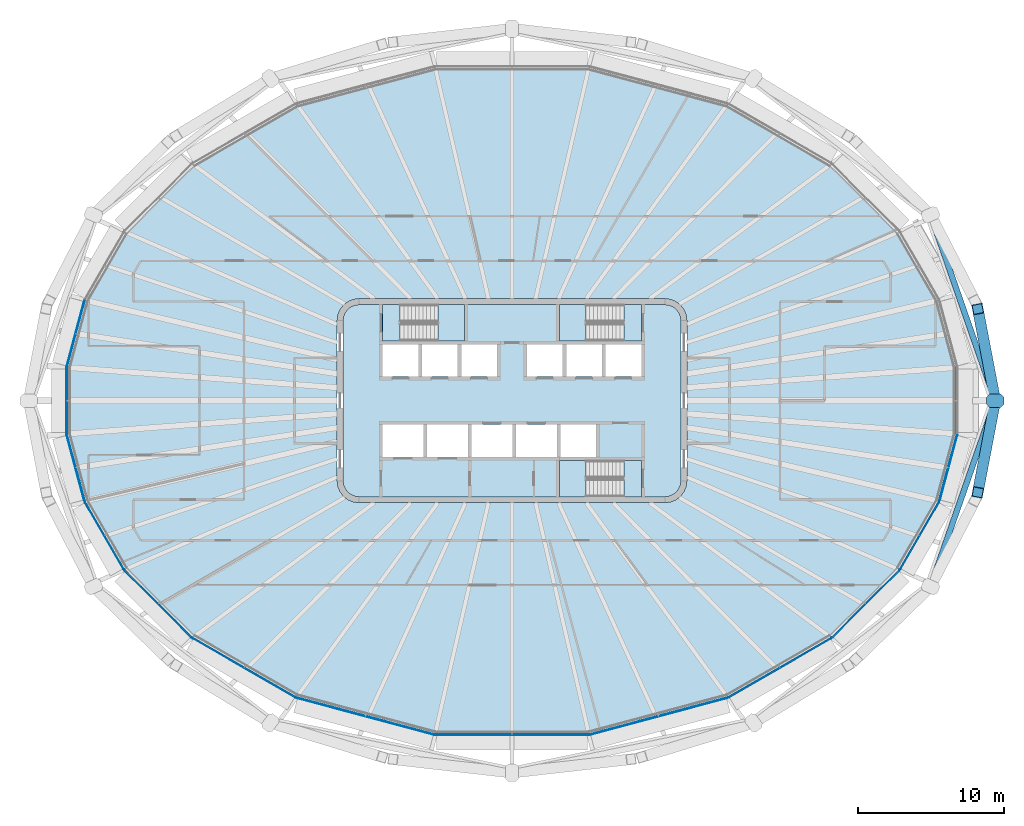
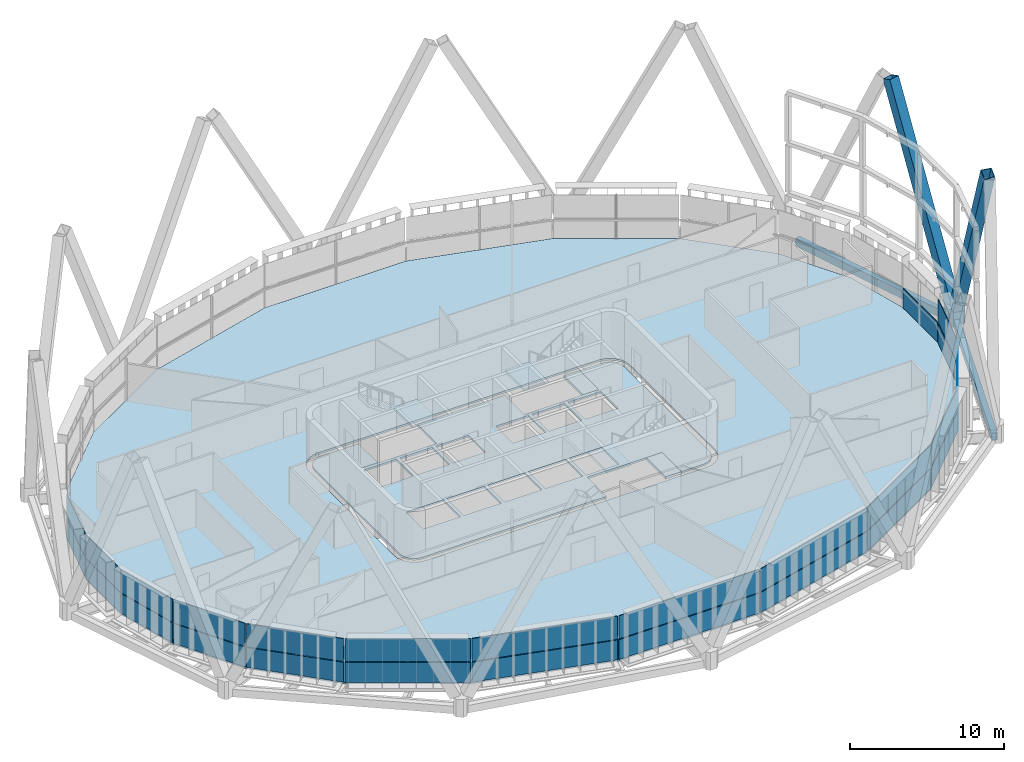
# One storey, part 11 of 23: 27 plates, 8 slabs, 3 members, 2 beams, 17 elements without a shape of their own.
"""IFC4 building model written with IfcOpenShell, lengths in metres."""

from ifc_helpers import new_model, si_unit, direction, frame, origin, origin_2d, place, context, subcontext, project, spatial, polyline, hollow_rectangle, outline, extrude, material, layer, layer_set, material_profile, profile_set, type_object, element, aggregate, save


model = new_model("IFC4")

# Units and contexts
model_context = context("Model", 3, precision=1e-05, world=origin(), true_north=direction((0.0, 1.0)))
body_context = subcontext(model_context, "Body", "Model", "MODEL_VIEW")
ifc_project = project(units=[si_unit("LENGTHUNIT", "METRE"), si_unit("AREAUNIT", "SQUARE_METRE"), si_unit("VOLUMEUNIT", "CUBIC_METRE"), si_unit("PLANEANGLEUNIT", "RADIAN"), si_unit("MASSUNIT", "GRAM", prefix="KILO")], contexts=[model_context])

# Site, building, storey
site_placement = place(None, origin())
site = spatial("IfcSite", under=ifc_project, at=site_placement, CompositionType="ELEMENT")
building_placement = place(site_placement, origin())
building = spatial("IfcBuilding", under=site, at=building_placement, Name="Sahrelin Media Tower", CompositionType="ELEMENT")
storey_placement = place(building_placement, frame((0.0, 0.0, 217.60009765625)))
storey = spatial("IfcBuildingStorey", under=building, at=storey_placement, Name="L46", CompositionType="ELEMENT", Elevation=217.60009765625)

# Members
ifc_material_1 = material(Name="Steel S460", Category="steel")
ifc_material_profile_1 = material_profile(ifc_material_1, hollow_rectangle(XDim=0.75, YDim=0.75, WallThickness=0.0400390625, at=origin_2d()), Name="Diagrid diagonal DG6")
ifc_profile_set_1 = profile_set([ifc_material_profile_1], Name="Steel S460")
member_type_1 = type_object("IfcMemberType", Name="Diagrid diagonal DG6", PredefinedType="BRACE", material=ifc_profile_set_1)
for number, where, z_axis, x_axis, name in (
    (1, (33.116943359375, 0.2880859375, 0.699951171875), (-0.072276655698, 0.379491002306, 0.922367965733), (-0.982342060878, -0.187093761066, 0.0), "Diagrid diagonal D10-00"),
    (2, (33.116943359375, -0.2880859375, 0.699951171875), (-0.072276655698, -0.379491002306, 0.922367965733), (0.982342060878, -0.187093761066, 0.0), "Diagrid diagonal D10-23"),
):
    element("IfcMember", number, at=place(storey_placement, frame(where, z_axis=z_axis, x_axis=x_axis)), inside=storey, type_object=member_type_1, Name=name, PredefinedType="BRACE", context=body_context, shape_type="SweptSolid", body=[
        extrude(hollow_rectangle(XDim=0.75, YDim=0.75, WallThickness=0.0400390625, at=origin_2d()), origin(), (0.0, 0.0, 1.0), 15.82861328125),
    ])
ifc_material_profile_2 = material_profile(ifc_material_1, outline(polyline([(0.39990234375, -0.449951171875), (0.60009765625, -0.25), (0.60009765625, 0.25), (0.39990234375, 0.449951171875), (-0.39990234375, 0.449951171875), (-0.60009765625, 0.25), (-0.60009765625, -0.25), (-0.39990234375, -0.449951171875), (0.39990234375, -0.449951171875)])), Name="Diagrid node block 1200")
ifc_profile_set_2 = profile_set([ifc_material_profile_2], Name="Steel S460")
member_type_2 = type_object("IfcMemberType", Name="Diagrid node block 1200", PredefinedType="USERDEFINED", material=ifc_profile_set_2)
member_placement = place(storey_placement, frame((33.171875, 0.0, -0.7001953125), z_axis=(0.0, 0.0, 1.0), x_axis=(1.0, 0.0, 0.0)))
element("IfcMember", 3, at=member_placement, inside=storey, type_object=member_type_2, Name="Diagrid node N10-00", ObjectType="NODE", PredefinedType="USERDEFINED", context=body_context, shape_type="SweptSolid", body=[
    extrude(outline(polyline([(0.39990234375, -0.449951171875), (0.60009765625, -0.25), (0.60009765625, 0.25), (0.39990234375, 0.449951171875), (-0.39990234375, 0.449951171875), (-0.60009765625, 0.25), (-0.60009765625, -0.25), (-0.39990234375, -0.449951171875), (0.39990234375, -0.449951171875)])), origin(), (0.0, 0.0, 1.0), 1.400146484375),
])

# Beams
ifc_material_profile_3 = material_profile(ifc_material_1, hollow_rectangle(XDim=0.39990234375, YDim=0.60009765625, WallThickness=0.030029296875, at=origin_2d()), Name="Diagrid ring beam RB1")
ifc_profile_set_3 = profile_set([ifc_material_profile_3], Name="Steel S460")
beam_type = type_object("IfcBeamType", Name="Diagrid ring beam RB1", PredefinedType="BEAM", material=ifc_profile_set_3)
for number, where, z_axis, x_axis, name in (
    (4, (33.171875, 0.0, -0.4501953125), (-0.32878120153, 0.944406121073, 0.0), (-0.944406121073, -0.32878120153, 0.0), "Diagrid ring beam RB10-00"),
    (5, (28.7275390625, -12.76611328125, -0.4501953125), (0.32878120153, 0.944406121073, 0.0), (-0.944406121073, 0.32878120153, 0.0), "Diagrid ring beam RB10-11"),
):
    element("IfcBeam", number, at=place(storey_placement, frame(where, z_axis=z_axis, x_axis=x_axis)), inside=storey, type_object=beam_type, Name=name, PredefinedType="BEAM", context=body_context, shape_type="SweptSolid", body=[
        extrude(hollow_rectangle(XDim=0.39990234375, YDim=0.60009765625, WallThickness=0.030029296875, at=origin_2d()), origin(), (0.0, 0.0, 1.0), 13.517578125),
    ])

# Slabs
ifc_material_2 = material(Name="Concrete C40/50", Category="concrete")
ifc_layer_1 = layer(ifc_material_2, 0.14990234375)
ifc_layer_set_1 = layer_set([ifc_layer_1], Name="Composite floor slab 150")
slab_type_1 = type_object("IfcSlabType", Name="Composite floor slab 150", PredefinedType="FLOOR", material=ifc_layer_set_1)
placement_1 = place(storey_placement, frame((0.0, 0.0, -0.150146484375)))
element("IfcSlab", 6, at=placement_1, inside=storey, type_object=slab_type_1, Name="Floor slab L46", PredefinedType="FLOOR", context=body_context, shape_type="SweptSolid", body=[
    extrude(outline(polyline([(30.5625, -2.2822265625), (30.5625, 2.2822265625), (29.3271484375, 6.8935546875), (26.610595703125, 11.598388671875), (21.943115234375, 16.26611328125), (14.8173828125, 20.380126953125), (5.293212890625, 22.93212890625), (-5.293212890625, 22.93212890625), (-14.8173828125, 20.380126953125), (-21.943115234375, 16.26611328125), (-26.610595703125, 11.598388671875), (-29.3271484375, 6.8935546875), (-30.5625, 2.2822265625), (-30.5625, -2.2822265625), (-29.3271484375, -6.8935546875), (-26.610595703125, -11.598388671875), (-21.943115234375, -16.26611328125), (-14.8173828125, -20.380126953125), (-5.293212890625, -22.93212890625), (5.293212890625, -22.93212890625), (14.8173828125, -20.380126953125), (21.943115234375, -16.26611328125), (26.610595703125, -11.598388671875), (29.3271484375, -6.8935546875), (30.5625, -2.2822265625)]), holes=[polyline([(11.948974609375, 5.88818359375), (12.0, 5.5), (12.0, -5.5), (11.948974609375, -5.88818359375), (11.799072265625, -6.25), (11.560791015625, -6.560791015625), (11.25, -6.799072265625), (10.88818359375, -6.948974609375), (10.5, -7.0), (-10.5, -7.0), (-10.88818359375, -6.948974609375), (-11.25, -6.799072265625), (-11.560791015625, -6.560791015625), (-11.799072265625, -6.25), (-11.948974609375, -5.88818359375), (-12.0, -5.5), (-12.0, 5.5), (-11.948974609375, 5.88818359375), (-11.799072265625, 6.25), (-11.560791015625, 6.560791015625), (-11.25, 6.799072265625), (-10.88818359375, 6.948974609375), (-10.5, 7.0), (10.5, 7.0), (10.88818359375, 6.948974609375), (11.25, 6.799072265625), (11.560791015625, 6.560791015625), (11.799072265625, 6.25), (11.948974609375, 5.88818359375)])]), origin(), (0.0, 0.0, 1.0), 0.150146484375),
])
ifc_layer_2 = layer(ifc_material_2, 0.14990234375)
ifc_layer_set_2 = layer_set([ifc_layer_2], Name="Core floor slab 150")
slab_type_2 = type_object("IfcSlabType", Name="Core floor slab 150", PredefinedType="FLOOR", material=ifc_layer_set_2)
element("IfcSlab", 7, at=placement_1, inside=storey, type_object=slab_type_2, Name="Core floor", PredefinedType="FLOOR", context=body_context, shape_type="SweptSolid", body=[
    extrude(outline(polyline([(-11.60009765625, -5.473876953125), (-11.55908203125, -5.78369140625), (-11.44970703125, -6.04833984375), (-11.275390625, -6.275390625), (-11.04833984375, -6.44970703125), (-10.78369140625, -6.55908203125), (-10.473876953125, -6.60009765625), (3.27490234375, -6.60009765625), (3.27490234375, -4.10009765625), (8.875, -4.10009765625), (8.875, -6.60009765625), (10.473876953125, -6.60009765625), (10.78369140625, -6.55908203125), (11.04833984375, -6.44970703125), (11.275390625, -6.275390625), (11.44970703125, -6.04833984375), (11.55908203125, -5.78369140625), (11.60009765625, -5.473876953125), (11.60009765625, 5.473876953125), (11.55908203125, 5.78369140625), (11.44970703125, 6.04833984375), (11.275390625, 6.275390625), (11.04833984375, 6.44970703125), (10.78369140625, 6.55908203125), (10.473876953125, 6.60009765625), (8.875, 6.60009765625), (8.875, 4.10009765625), (3.27490234375, 4.10009765625), (3.27490234375, 6.60009765625), (-3.27490234375, 6.60009765625), (-3.27490234375, 4.10009765625), (-8.875, 4.10009765625), (-8.875, 6.60009765625), (-10.473876953125, 6.60009765625), (-10.78369140625, 6.55908203125), (-11.04833984375, 6.44970703125), (-11.275390625, 6.275390625), (-11.44970703125, 6.04833984375), (-11.55908203125, 5.78369140625), (-11.60009765625, 5.473876953125), (-11.60009765625, -5.473876953125)]), holes=[polyline([(-8.875, 3.85009765625), (-8.875, 1.64990234375), (-6.425048828125, 1.64990234375), (-6.425048828125, 3.85009765625), (-8.875, 3.85009765625)]), polyline([(-3.72509765625, 3.85009765625), (-6.175048828125, 3.85009765625), (-6.175048828125, 1.64990234375), (-3.72509765625, 1.64990234375), (-3.72509765625, 3.85009765625)]), polyline([(-1.02490234375, 1.64990234375), (-1.02490234375, 3.85009765625), (-3.47509765625, 3.85009765625), (-3.47509765625, 1.64990234375), (-1.02490234375, 1.64990234375)]), polyline([(1.02490234375, 1.64990234375), (3.47509765625, 1.64990234375), (3.47509765625, 3.85009765625), (1.02490234375, 3.85009765625), (1.02490234375, 1.64990234375)]), polyline([(3.72509765625, 3.85009765625), (3.72509765625, 1.64990234375), (6.175048828125, 1.64990234375), (6.175048828125, 3.85009765625), (3.72509765625, 3.85009765625)]), polyline([(8.875, 3.85009765625), (6.425048828125, 3.85009765625), (6.425048828125, 1.64990234375), (8.875, 1.64990234375), (8.875, 3.85009765625)]), polyline([(-6.074951171875, -3.85009765625), (-6.074951171875, -1.64990234375), (-8.875, -1.64990234375), (-8.875, -3.85009765625), (-6.074951171875, -3.85009765625)]), polyline([(-5.824951171875, -3.85009765625), (-3.02490234375, -3.85009765625), (-3.02490234375, -1.64990234375), (-5.824951171875, -1.64990234375), (-5.824951171875, -3.85009765625)]), polyline([(-2.77490234375, -1.64990234375), (-2.77490234375, -3.85009765625), (0.02490234375, -3.85009765625), (0.02490234375, -1.64990234375), (-2.77490234375, -1.64990234375)]), polyline([(3.074951171875, -1.64990234375), (0.27490234375, -1.64990234375), (0.27490234375, -3.85009765625), (3.074951171875, -3.85009765625), (3.074951171875, -1.64990234375)]), polyline([(5.77490234375, -3.85009765625), (5.77490234375, -1.64990234375), (3.324951171875, -1.64990234375), (3.324951171875, -3.85009765625), (5.77490234375, -3.85009765625)])]), origin(), (0.0, 0.0, 1.0), 0.150146484375),
])

# Curtain wall, plate
ifc_material_3 = material(Name="Champagne anodised aluminium 6063-T6", Category="aluminium")
ifc_layer_3 = layer(ifc_material_3, 0.14990234375)
ifc_layer_set_3 = layer_set([ifc_layer_3], Name="Tower ribbon curtain wall")
curtain_wall_type = type_object("IfcCurtainWallType", Name="Tower ribbon curtain wall", PredefinedType="NOTDEFINED", material=ifc_layer_set_3)
curtain_wall_1_placement = place(storey_placement, frame((-29.964111328125, 4.593017578125, 0.0), z_axis=(0.0, 0.0, 1.0), x_axis=(1.0, 0.0, 0.0)))
curtain_wall_1 = element("IfcCurtainWall", 8, at=curtain_wall_1_placement, inside=storey, type_object=curtain_wall_type, Name="L46:CW:L46-11", PredefinedType="NOTDEFINED")
ifc_material_4 = material(Name="Clear low-iron glazing", Category="glass")
ifc_layer_4 = layer(ifc_material_4, 0.0439453125)
ifc_layer_set_4 = layer_set([ifc_layer_4], Name="Glazing panel 44 mm CW1B")
plate_type_1 = type_object("IfcPlateType", Name="Glazing panel 44 mm CW1B", PredefinedType="CURTAIN_PANEL", material=ifc_layer_set_4)
plate_1_placement = place(storey_placement, frame((-29.3779296875, 6.858154296875, 1.6298828125), z_axis=(-0.965919870225, 0.258841272413, 0.0), x_axis=(-0.258841272413, -0.965919870225, 0.0)))
plate_1 = element("IfcPlate", 9, at=plate_1_placement, type_object=plate_type_1, Name="L46:CWP2:L46-11", PredefinedType="CURTAIN_PANEL", context=body_context, shape_type="SweptSolid", body=[
    extrude(outline(polyline([(0.0, 0.0), (4.67919921875, 0.0), (4.67919921875, 1.818603515625), (0.0, 1.818603515625), (0.0, 0.0)])), origin(), (0.0, 0.0, -1.0), 0.0439453125),
])

curtain_wall_2_placement = place(storey_placement, frame((-30.58251953125, 0.0, 0.0), z_axis=(0.0, 0.0, 1.0), x_axis=(1.0, 0.0, 0.0)))
curtain_wall_2 = element("IfcCurtainWall", 10, at=curtain_wall_2_placement, inside=storey, type_object=curtain_wall_type, Name="L46:CW:L46-12", PredefinedType="NOTDEFINED")
plate_2_placement = place(storey_placement, frame((-30.6025390625, 2.23486328125, 1.6298828125), z_axis=(-1.0, 0.0, 0.0), x_axis=(0.0, -1.0, 0.0)))
plate_2 = element("IfcPlate", 11, at=plate_2_placement, type_object=plate_type_1, Name="L46:CWP2:L46-12", PredefinedType="CURTAIN_PANEL", context=body_context, shape_type="SweptSolid", body=[
    extrude(outline(polyline([(0.0, 0.0), (4.4697265625, 0.0), (4.4697265625, 1.818603515625), (0.0, 1.818603515625), (0.0, 0.0)])), origin(), (0.0, 0.0, -1.0), 0.0439453125),
])

curtain_wall_3_placement = place(storey_placement, frame((-29.964111328125, -4.593017578125, 0.0), z_axis=(0.0, 0.0, 1.0), x_axis=(1.0, 0.0, 0.0)))
curtain_wall_3 = element("IfcCurtainWall", 12, at=curtain_wall_3_placement, inside=storey, type_object=curtain_wall_type, Name="L46:CW:L46-13", PredefinedType="NOTDEFINED")
plate_3_placement = place(storey_placement, frame((-30.589111328125, -2.33837890625, 1.6298828125), z_axis=(-0.965919870225, -0.258841272413, 0.0), x_axis=(0.258841272413, -0.965919870225, 0.0)))
plate_3 = element("IfcPlate", 13, at=plate_3_placement, type_object=plate_type_1, Name="L46:CWP2:L46-13", PredefinedType="CURTAIN_PANEL", context=body_context, shape_type="SweptSolid", body=[
    extrude(outline(polyline([(0.0, 0.0), (4.67919921875, 0.0), (4.67919921875, 1.818603515625), (0.0, 1.818603515625), (0.0, 0.0)])), origin(), (0.0, 0.0, -1.0), 0.0439453125),
])

curtain_wall_4_placement = place(storey_placement, frame((-27.986083984375, -9.255859375, 0.0), z_axis=(0.0, 0.0, 1.0), x_axis=(1.0, 0.0, 0.0)))
curtain_wall_4 = element("IfcCurtainWall", 14, at=curtain_wall_4_placement, inside=storey, type_object=curtain_wall_type, Name="L46:CW:L46-14", PredefinedType="NOTDEFINED")
plate_4_placement = place(storey_placement, frame((-29.337890625, -6.95458984375, 1.6298828125), z_axis=(-0.866027925839, -0.499995631649, 0.0), x_axis=(0.499995631649, -0.866027925839, 0.0)))
plate_4 = element("IfcPlate", 15, at=plate_4_placement, type_object=plate_type_1, Name="L46:CWP2:L46-14", PredefinedType="CURTAIN_PANEL", context=body_context, shape_type="SweptSolid", body=[
    extrude(outline(polyline([(0.0, 0.0), (5.337890625, 0.0), (5.337890625, 1.818603515625), (0.0, 1.818603515625), (0.0, 0.0)])), origin(), (0.0, 0.0, -1.0), 0.0439453125),
])

curtain_wall_5_placement = place(storey_placement, frame((-24.291015625, -13.9462890625, 0.0), z_axis=(0.0, 0.0, 1.0), x_axis=(1.0, 0.0, 0.0)))
curtain_wall_5 = element("IfcCurtainWall", 16, at=curtain_wall_5_placement, inside=storey, type_object=curtain_wall_type, Name="L46:CW:L46-15", PredefinedType="NOTDEFINED")
plate_5_placement = place(storey_placement, frame((-26.60546875, -11.66015625, 1.6298828125), z_axis=(-0.70712554256, -0.707088019315, 0.0), x_axis=(0.707088019315, -0.70712554256, 0.0)))
plate_5 = element("IfcPlate", 17, at=plate_5_placement, type_object=plate_type_1, Name="L46:CWP2:L46-15", PredefinedType="CURTAIN_PANEL", context=body_context, shape_type="SweptSolid", body=[
    extrude(outline(polyline([(0.0, 0.0), (6.50634765625, 0.0), (6.50634765625, 1.818603515625), (0.0, 1.818603515625), (0.0, 0.0)])), origin(), (0.0, 0.0, -1.0), 0.0439453125),
])

curtain_wall_6_placement = place(storey_placement, frame((-18.39013671875, -18.34033203125, 0.0), z_axis=(0.0, 0.0, 1.0), x_axis=(1.0, 0.0, 0.0)))
curtain_wall_6 = element("IfcCurtainWall", 18, at=curtain_wall_6_placement, inside=storey, type_object=curtain_wall_type, Name="L46:CW:L46-16", PredefinedType="NOTDEFINED")
plate_6_placement = place(storey_placement, frame((-21.922119140625, -16.324462890625, 1.6298828125), z_axis=(-0.499997014414, -0.866027127506, 0.0), x_axis=(0.866027127506, -0.499997014414, 0.0)))
plate_6 = element("IfcPlate", 19, at=plate_6_placement, type_object=plate_type_1, Name="L46:CWP2:L46-16", PredefinedType="CURTAIN_PANEL", context=body_context, shape_type="SweptSolid", body=[
    extrude(outline(polyline([(0.0, 0.0), (8.13330078125, 0.0), (8.13330078125, 1.818603515625), (0.0, 1.818603515625), (0.0, 0.0)])), origin(), (0.0, 0.0, -1.0), 0.0439453125),
])

curtain_wall_7_placement = place(storey_placement, frame((-10.060302734375, -21.67529296875, 0.0), z_axis=(0.0, 0.0, 1.0), x_axis=(1.0, 0.0, 0.0)))
curtain_wall_7 = element("IfcCurtainWall", 20, at=curtain_wall_7_placement, inside=storey, type_object=curtain_wall_type, Name="L46:CW:L46-17", PredefinedType="NOTDEFINED")
plate_7_placement = place(storey_placement, frame((-14.781982421875, -20.430908203125, 1.6298828125), z_axis=(-0.258831057931, -0.965922607381, 0.0), x_axis=(0.965922607381, -0.258831057931, 0.0)))
plate_7 = element("IfcPlate", 21, at=plate_7_placement, type_object=plate_type_1, Name="L46:CWP2:L46-17", PredefinedType="CURTAIN_PANEL", context=body_context, shape_type="SweptSolid", body=[
    extrude(outline(polyline([(0.0, 0.0), (9.765380859375, 0.0), (9.765380859375, 1.818603515625), (0.0, 1.818603515625), (0.0, 0.0)])), origin(), (0.0, 0.0, -1.0), 0.0439453125),
])

curtain_wall_8_placement = place(storey_placement, frame((0.0, -22.9521484375, 0.0), z_axis=(0.0, 0.0, 1.0), x_axis=(1.0, 0.0, 0.0)))
curtain_wall_8 = element("IfcCurtainWall", 22, at=curtain_wall_8_placement, inside=storey, type_object=curtain_wall_type, Name="L46:CW:L46-18", PredefinedType="NOTDEFINED")
plate_8_placement = place(storey_placement, frame((-5.245849609375, -22.97216796875, 1.6298828125), z_axis=(0.0, -1.0, 0.0), x_axis=(1.0, 0.0, 0.0)))
plate_8 = element("IfcPlate", 23, at=plate_8_placement, type_object=plate_type_1, Name="L46:CWP2:L46-18", PredefinedType="CURTAIN_PANEL", context=body_context, shape_type="SweptSolid", body=[
    extrude(outline(polyline([(0.0, 0.0), (10.49169921875, 0.0), (10.49169921875, 1.818603515625), (0.0, 1.818603515625), (0.0, 0.0)])), origin(), (0.0, 0.0, -1.0), 0.0439453125),
])

curtain_wall_9_placement = place(storey_placement, frame((10.060302734375, -21.67529296875, 0.0), z_axis=(0.0, 0.0, 1.0), x_axis=(1.0, 0.0, 0.0)))
curtain_wall_9 = element("IfcCurtainWall", 24, at=curtain_wall_9_placement, inside=storey, type_object=curtain_wall_type, Name="L46:CW:L46-19", PredefinedType="NOTDEFINED")
plate_9_placement = place(storey_placement, frame((5.349365234375, -22.95849609375, 1.6298828125), z_axis=(0.258831057931, -0.965922607381, 0.0), x_axis=(0.965922607381, 0.258831057931, 0.0)))
plate_9 = element("IfcPlate", 25, at=plate_9_placement, type_object=plate_type_1, Name="L46:CWP2:L46-19", PredefinedType="CURTAIN_PANEL", context=body_context, shape_type="SweptSolid", body=[
    extrude(outline(polyline([(0.0, 0.0), (9.765380859375, 0.0), (9.765380859375, 1.818603515625), (0.0, 1.818603515625), (0.0, 0.0)])), origin(), (0.0, 0.0, -1.0), 0.0439453125),
])

curtain_wall_10_placement = place(storey_placement, frame((18.39013671875, -18.34033203125, 0.0), z_axis=(0.0, 0.0, 1.0), x_axis=(1.0, 0.0, 0.0)))
curtain_wall_10 = element("IfcCurtainWall", 26, at=curtain_wall_10_placement, inside=storey, type_object=curtain_wall_type, Name="L46:CW:L46-20", PredefinedType="NOTDEFINED")
plate_10_placement = place(storey_placement, frame((14.87841796875, -20.39111328125, 1.6298828125), z_axis=(0.499997014414, -0.866027127506, 0.0), x_axis=(0.866027127506, 0.499997014414, 0.0)))
plate_10 = element("IfcPlate", 27, at=plate_10_placement, type_object=plate_type_1, Name="L46:CWP2:L46-20", PredefinedType="CURTAIN_PANEL", context=body_context, shape_type="SweptSolid", body=[
    extrude(outline(polyline([(0.0, 0.0), (8.13330078125, 0.0), (8.13330078125, 1.818603515625), (0.0, 1.818603515625), (0.0, 0.0)])), origin(), (0.0, 0.0, -1.0), 0.0439453125),
])

curtain_wall_11_placement = place(storey_placement, frame((24.291015625, -13.9462890625, 0.0), z_axis=(0.0, 0.0, 1.0), x_axis=(1.0, 0.0, 0.0)))
curtain_wall_11 = element("IfcCurtainWall", 28, at=curtain_wall_11_placement, inside=storey, type_object=curtain_wall_type, Name="L46:CW:L46-21", PredefinedType="NOTDEFINED")
plate_11_placement = place(storey_placement, frame((22.0048828125, -16.260986328125, 1.6298828125), z_axis=(0.70712554256, -0.707088019315, 0.0), x_axis=(0.707088019315, 0.70712554256, 0.0)))
plate_11 = element("IfcPlate", 29, at=plate_11_placement, type_object=plate_type_1, Name="L46:CWP2:L46-21", PredefinedType="CURTAIN_PANEL", context=body_context, shape_type="SweptSolid", body=[
    extrude(outline(polyline([(0.0, 0.0), (6.50634765625, 0.0), (6.50634765625, 1.818603515625), (0.0, 1.818603515625), (0.0, 0.0)])), origin(), (0.0, 0.0, -1.0), 0.0439453125),
])

curtain_wall_12_placement = place(storey_placement, frame((27.986083984375, -9.256103515625, 0.0), z_axis=(0.0, 0.0, 1.0), x_axis=(1.0, 0.0, 0.0)))
curtain_wall_12 = element("IfcCurtainWall", 30, at=curtain_wall_12_placement, inside=storey, type_object=curtain_wall_type, Name="L46:CW:L46-22", PredefinedType="NOTDEFINED")
plate_12_placement = place(storey_placement, frame((26.6689453125, -11.577392578125, 1.6298828125), z_axis=(0.866027925839, -0.499995631649, 0.0), x_axis=(0.499995631649, 0.866027925839, 0.0)))
plate_12 = element("IfcPlate", 31, at=plate_12_placement, type_object=plate_type_1, Name="L46:CWP2:L46-22", PredefinedType="CURTAIN_PANEL", context=body_context, shape_type="SweptSolid", body=[
    extrude(outline(polyline([(0.0, 0.0), (5.337890625, 0.0), (5.337890625, 1.818603515625), (0.0, 1.818603515625), (0.0, 0.0)])), origin(), (0.0, 0.0, -1.0), 0.0439453125),
])

curtain_wall_13_placement = place(storey_placement, frame((29.964111328125, -4.593017578125, 0.0), z_axis=(0.0, 0.0, 1.0), x_axis=(1.0, 0.0, 0.0)))
curtain_wall_13 = element("IfcCurtainWall", 32, at=curtain_wall_13_placement, inside=storey, type_object=curtain_wall_type, Name="L46:CW:L46-23", PredefinedType="NOTDEFINED")
plate_13_placement = place(storey_placement, frame((29.3779296875, -6.858154296875, 1.6298828125), z_axis=(0.965919870225, -0.258841272413, 0.0), x_axis=(0.258841272413, 0.965919870225, 0.0)))
plate_13 = element("IfcPlate", 33, at=plate_13_placement, type_object=plate_type_1, Name="L46:CWP2:L46-23", PredefinedType="CURTAIN_PANEL", context=body_context, shape_type="SweptSolid", body=[
    extrude(outline(polyline([(0.0, 0.0), (4.67919921875, 0.0), (4.67919921875, 1.818603515625), (0.0, 1.818603515625), (0.0, 0.0)])), origin(), (0.0, 0.0, -1.0), 0.0439453125),
])

curtain_wall_14_placement = place(storey_placement, frame((30.58251953125, 0.0, 0.0), z_axis=(0.0, 0.0, 1.0), x_axis=(1.0, 0.0, 0.0)))
curtain_wall_14 = element("IfcCurtainWall", 34, at=curtain_wall_14_placement, inside=storey, type_object=curtain_wall_type, Name="L46:CW:L46-00", PredefinedType="NOTDEFINED")
ifc_material_5 = material(Name="Insulated spandrel panel")
ifc_layer_5 = layer(ifc_material_5, 0.06005859375)
ifc_layer_set_5 = layer_set([ifc_layer_5], Name="Spandrel panel 60 mm CW1")
plate_type_2 = type_object("IfcPlateType", Name="Spandrel panel 60 mm CW1", PredefinedType="SHEET", material=ifc_layer_set_5)
plate_14_placement = place(storey_placement, frame((30.6025390625, -2.23486328125, 0.0), z_axis=(1.0, 0.0, 0.0), x_axis=(0.0, 1.0, 0.0)))
plate_14 = element("IfcPlate", 35, at=plate_14_placement, type_object=plate_type_2, Name="L46:CWP1:L46-00", PredefinedType="SHEET", context=body_context, shape_type="SweptSolid", body=[
    extrude(outline(polyline([(0.0, 0.0), (4.4697265625, 0.0), (4.4697265625, 1.56982421875), (0.0, 1.56982421875), (0.0, 0.0)])), origin(), (0.0, 0.0, -1.0), 0.06005859375),
])
aggregate(curtain_wall_14, [plate_14])

# Plate
plate_15_placement = place(storey_placement, frame((-29.3779296875, 6.858154296875, 0.0), z_axis=(-0.965919870225, 0.258841272413, 0.0), x_axis=(-0.258841272413, -0.965919870225, 0.0)))
plate_15 = element("IfcPlate", 36, at=plate_15_placement, type_object=plate_type_2, Name="L46:CWP1:L46-11", PredefinedType="SHEET", context=body_context, shape_type="SweptSolid", body=[
    extrude(outline(polyline([(0.0, 0.0), (4.67919921875, 0.0), (4.67919921875, 1.56982421875), (0.0, 1.56982421875), (0.0, 0.0)])), origin(), (0.0, 0.0, -1.0), 0.06005859375),
])

aggregate(curtain_wall_1, [plate_15, plate_1])

plate_16_placement = place(storey_placement, frame((-30.6025390625, 2.23486328125, 0.0), z_axis=(-1.0, 0.0, 0.0), x_axis=(0.0, -1.0, 0.0)))
plate_16 = element("IfcPlate", 37, at=plate_16_placement, type_object=plate_type_2, Name="L46:CWP1:L46-12", PredefinedType="SHEET", context=body_context, shape_type="SweptSolid", body=[
    extrude(outline(polyline([(0.0, 0.0), (4.4697265625, 0.0), (4.4697265625, 1.56982421875), (0.0, 1.56982421875), (0.0, 0.0)])), origin(), (0.0, 0.0, -1.0), 0.06005859375),
])

aggregate(curtain_wall_2, [plate_16, plate_2])

plate_17_placement = place(storey_placement, frame((-30.589111328125, -2.33837890625, 0.0), z_axis=(-0.965919870225, -0.258841272413, 0.0), x_axis=(0.258841272413, -0.965919870225, 0.0)))
plate_17 = element("IfcPlate", 38, at=plate_17_placement, type_object=plate_type_2, Name="L46:CWP1:L46-13", PredefinedType="SHEET", context=body_context, shape_type="SweptSolid", body=[
    extrude(outline(polyline([(0.0, 0.0), (4.67919921875, 0.0), (4.67919921875, 1.56982421875), (0.0, 1.56982421875), (0.0, 0.0)])), origin(), (0.0, 0.0, -1.0), 0.06005859375),
])

aggregate(curtain_wall_3, [plate_17, plate_3])

plate_18_placement = place(storey_placement, frame((-29.337890625, -6.95458984375, 0.0), z_axis=(-0.866027925839, -0.499995631649, 0.0), x_axis=(0.499995631649, -0.866027925839, 0.0)))
plate_18 = element("IfcPlate", 39, at=plate_18_placement, type_object=plate_type_2, Name="L46:CWP1:L46-14", PredefinedType="SHEET", context=body_context, shape_type="SweptSolid", body=[
    extrude(outline(polyline([(0.0, 0.0), (5.337890625, 0.0), (5.337890625, 1.56982421875), (0.0, 1.56982421875), (0.0, 0.0)])), origin(), (0.0, 0.0, -1.0), 0.06005859375),
])

aggregate(curtain_wall_4, [plate_18, plate_4])

plate_19_placement = place(storey_placement, frame((-26.60546875, -11.66015625, 0.0), z_axis=(-0.70712554256, -0.707088019315, 0.0), x_axis=(0.707088019315, -0.70712554256, 0.0)))
plate_19 = element("IfcPlate", 40, at=plate_19_placement, type_object=plate_type_2, Name="L46:CWP1:L46-15", PredefinedType="SHEET", context=body_context, shape_type="SweptSolid", body=[
    extrude(outline(polyline([(0.0, 0.0), (6.50634765625, 0.0), (6.50634765625, 1.56982421875), (0.0, 1.56982421875), (0.0, 0.0)])), origin(), (0.0, 0.0, -1.0), 0.06005859375),
])

aggregate(curtain_wall_5, [plate_19, plate_5])

plate_20_placement = place(storey_placement, frame((-21.922119140625, -16.324462890625, 0.0), z_axis=(-0.499997014414, -0.866027127506, 0.0), x_axis=(0.866027127506, -0.499997014414, 0.0)))
plate_20 = element("IfcPlate", 41, at=plate_20_placement, type_object=plate_type_2, Name="L46:CWP1:L46-16", PredefinedType="SHEET", context=body_context, shape_type="SweptSolid", body=[
    extrude(outline(polyline([(0.0, 0.0), (8.13330078125, 0.0), (8.13330078125, 1.56982421875), (0.0, 1.56982421875), (0.0, 0.0)])), origin(), (0.0, 0.0, -1.0), 0.06005859375),
])

aggregate(curtain_wall_6, [plate_20, plate_6])

plate_21_placement = place(storey_placement, frame((-14.781982421875, -20.430908203125, 0.0), z_axis=(-0.258831057931, -0.965922607381, 0.0), x_axis=(0.965922607381, -0.258831057931, 0.0)))
plate_21 = element("IfcPlate", 42, at=plate_21_placement, type_object=plate_type_2, Name="L46:CWP1:L46-17", PredefinedType="SHEET", context=body_context, shape_type="SweptSolid", body=[
    extrude(outline(polyline([(0.0, 0.0), (9.765380859375, 0.0), (9.765380859375, 1.56982421875), (0.0, 1.56982421875), (0.0, 0.0)])), origin(), (0.0, 0.0, -1.0), 0.06005859375),
])

aggregate(curtain_wall_7, [plate_21, plate_7])

plate_22_placement = place(storey_placement, frame((-5.245849609375, -22.97216796875, 0.0), z_axis=(0.0, -1.0, 0.0), x_axis=(1.0, 0.0, 0.0)))
plate_22 = element("IfcPlate", 43, at=plate_22_placement, type_object=plate_type_2, Name="L46:CWP1:L46-18", PredefinedType="SHEET", context=body_context, shape_type="SweptSolid", body=[
    extrude(outline(polyline([(0.0, 0.0), (10.49169921875, 0.0), (10.49169921875, 1.56982421875), (0.0, 1.56982421875), (0.0, 0.0)])), origin(), (0.0, 0.0, -1.0), 0.06005859375),
])

aggregate(curtain_wall_8, [plate_22, plate_8])

plate_23_placement = place(storey_placement, frame((5.349365234375, -22.95849609375, 0.0), z_axis=(0.258831057931, -0.965922607381, 0.0), x_axis=(0.965922607381, 0.258831057931, 0.0)))
plate_23 = element("IfcPlate", 44, at=plate_23_placement, type_object=plate_type_2, Name="L46:CWP1:L46-19", PredefinedType="SHEET", context=body_context, shape_type="SweptSolid", body=[
    extrude(outline(polyline([(0.0, 0.0), (9.765380859375, 0.0), (9.765380859375, 1.56982421875), (0.0, 1.56982421875), (0.0, 0.0)])), origin(), (0.0, 0.0, -1.0), 0.06005859375),
])

aggregate(curtain_wall_9, [plate_23, plate_9])

plate_24_placement = place(storey_placement, frame((14.87841796875, -20.39111328125, 0.0), z_axis=(0.499997014414, -0.866027127506, 0.0), x_axis=(0.866027127506, 0.499997014414, 0.0)))
plate_24 = element("IfcPlate", 45, at=plate_24_placement, type_object=plate_type_2, Name="L46:CWP1:L46-20", PredefinedType="SHEET", context=body_context, shape_type="SweptSolid", body=[
    extrude(outline(polyline([(0.0, 0.0), (8.13330078125, 0.0), (8.13330078125, 1.56982421875), (0.0, 1.56982421875), (0.0, 0.0)])), origin(), (0.0, 0.0, -1.0), 0.06005859375),
])

aggregate(curtain_wall_10, [plate_24, plate_10])

plate_25_placement = place(storey_placement, frame((22.0048828125, -16.260986328125, 0.0), z_axis=(0.70712554256, -0.707088019315, 0.0), x_axis=(0.707088019315, 0.70712554256, 0.0)))
plate_25 = element("IfcPlate", 46, at=plate_25_placement, type_object=plate_type_2, Name="L46:CWP1:L46-21", PredefinedType="SHEET", context=body_context, shape_type="SweptSolid", body=[
    extrude(outline(polyline([(0.0, 0.0), (6.50634765625, 0.0), (6.50634765625, 1.56982421875), (0.0, 1.56982421875), (0.0, 0.0)])), origin(), (0.0, 0.0, -1.0), 0.06005859375),
])

aggregate(curtain_wall_11, [plate_25, plate_11])

plate_26_placement = place(storey_placement, frame((26.6689453125, -11.577392578125, 0.0), z_axis=(0.866027925839, -0.499995631649, 0.0), x_axis=(0.499995631649, 0.866027925839, 0.0)))
plate_26 = element("IfcPlate", 47, at=plate_26_placement, type_object=plate_type_2, Name="L46:CWP1:L46-22", PredefinedType="SHEET", context=body_context, shape_type="SweptSolid", body=[
    extrude(outline(polyline([(0.0, 0.0), (5.337890625, 0.0), (5.337890625, 1.56982421875), (0.0, 1.56982421875), (0.0, 0.0)])), origin(), (0.0, 0.0, -1.0), 0.06005859375),
])

aggregate(curtain_wall_12, [plate_26, plate_12])

plate_27_placement = place(storey_placement, frame((29.3779296875, -6.858154296875, 0.0), z_axis=(0.965919870225, -0.258841272413, 0.0), x_axis=(0.258841272413, 0.965919870225, 0.0)))
plate_27 = element("IfcPlate", 48, at=plate_27_placement, type_object=plate_type_2, Name="L46:CWP1:L46-23", PredefinedType="SHEET", context=body_context, shape_type="SweptSolid", body=[
    extrude(outline(polyline([(0.0, 0.0), (4.67919921875, 0.0), (4.67919921875, 1.56982421875), (0.0, 1.56982421875), (0.0, 0.0)])), origin(), (0.0, 0.0, -1.0), 0.06005859375),
])

aggregate(curtain_wall_13, [plate_27, plate_13])

# Stair, slabs
stair_type = type_object("IfcStairType", Name="Exit stair 1200", PredefinedType="HALF_TURN_STAIR", material=ifc_material_2)
placement_2 = place(storey_placement, origin())
stair_1 = element("IfcStair", 49, at=placement_2, inside=storey, type_object=stair_type, Name="L46 Exit stair ST1", PredefinedType="HALF_TURN_STAIR")
ifc_layer_6 = layer(ifc_material_2, 0.199951171875)
ifc_layer_set_6 = layer_set([ifc_layer_6], Name="Stair landing 200")
slab_type_3 = type_object("IfcSlabType", Name="Stair landing 200", PredefinedType="LANDING", material=ifc_layer_set_6)
placement_3 = place(storey_placement, frame((0.0, 0.0, 1.7998046875)))
slab_3 = element("IfcSlab", 50, at=placement_3, type_object=slab_type_3, Name="ST1 landing 1", PredefinedType="LANDING", context=body_context, shape_type="SweptSolid", body=[
    extrude(outline(polyline([(-5.074951171875, 4.10009765625), (-3.27490234375, 4.10009765625), (-3.27490234375, 6.60009765625), (-5.074951171875, 6.60009765625), (-5.074951171875, 4.10009765625)])), origin(), (0.0, 0.0, 1.0), 0.2001953125),
])
placement_4 = place(storey_placement, frame((0.0, 0.0, -0.2001953125)))
slab_4 = element("IfcSlab", 51, at=placement_4, type_object=slab_type_3, Name="ST1 landing 2", PredefinedType="LANDING", context=body_context, shape_type="SweptSolid", body=[
    extrude(outline(polyline([(-8.875, 4.10009765625), (-7.675048828125, 4.10009765625), (-7.675048828125, 6.60009765625), (-8.875, 6.60009765625), (-8.875, 4.10009765625)])), origin(), (0.0, 0.0, 1.0), 0.2001953125),
])
aggregate(stair_1, [slab_3, slab_4])

stair_2 = element("IfcStair", 52, at=placement_2, inside=storey, type_object=stair_type, Name="L46 Exit stair ST3", PredefinedType="HALF_TURN_STAIR")
slab_5 = element("IfcSlab", 53, at=placement_3, type_object=slab_type_3, Name="ST3 landing 1", PredefinedType="LANDING", context=body_context, shape_type="SweptSolid", body=[
    extrude(outline(polyline([(5.074951171875, 6.60009765625), (3.27490234375, 6.60009765625), (3.27490234375, 4.10009765625), (5.074951171875, 4.10009765625), (5.074951171875, 6.60009765625)])), origin(), (0.0, 0.0, 1.0), 0.2001953125),
])
slab_6 = element("IfcSlab", 54, at=placement_4, type_object=slab_type_3, Name="ST3 landing 2", PredefinedType="LANDING", context=body_context, shape_type="SweptSolid", body=[
    extrude(outline(polyline([(8.875, 6.60009765625), (7.675048828125, 6.60009765625), (7.675048828125, 4.10009765625), (8.875, 4.10009765625), (8.875, 6.60009765625)])), origin(), (0.0, 0.0, 1.0), 0.2001953125),
])
aggregate(stair_2, [slab_5, slab_6])

stair_3 = element("IfcStair", 55, at=placement_2, inside=storey, type_object=stair_type, Name="L46 Exit stair ST2", PredefinedType="HALF_TURN_STAIR")
slab_7 = element("IfcSlab", 56, at=placement_3, type_object=slab_type_3, Name="ST2 landing 1", PredefinedType="LANDING", context=body_context, shape_type="SweptSolid", body=[
    extrude(outline(polyline([(5.074951171875, -4.10009765625), (3.27490234375, -4.10009765625), (3.27490234375, -6.60009765625), (5.074951171875, -6.60009765625), (5.074951171875, -4.10009765625)])), origin(), (0.0, 0.0, 1.0), 0.2001953125),
])
slab_8 = element("IfcSlab", 57, at=placement_4, type_object=slab_type_3, Name="ST2 landing 2", PredefinedType="LANDING", context=body_context, shape_type="SweptSolid", body=[
    extrude(outline(polyline([(8.875, -4.10009765625), (7.675048828125, -4.10009765625), (7.675048828125, -6.60009765625), (8.875, -6.60009765625), (8.875, -4.10009765625)])), origin(), (0.0, 0.0, 1.0), 0.2001953125),
])
aggregate(stair_3, [slab_7, slab_8])

save(model, "model.ifc")
